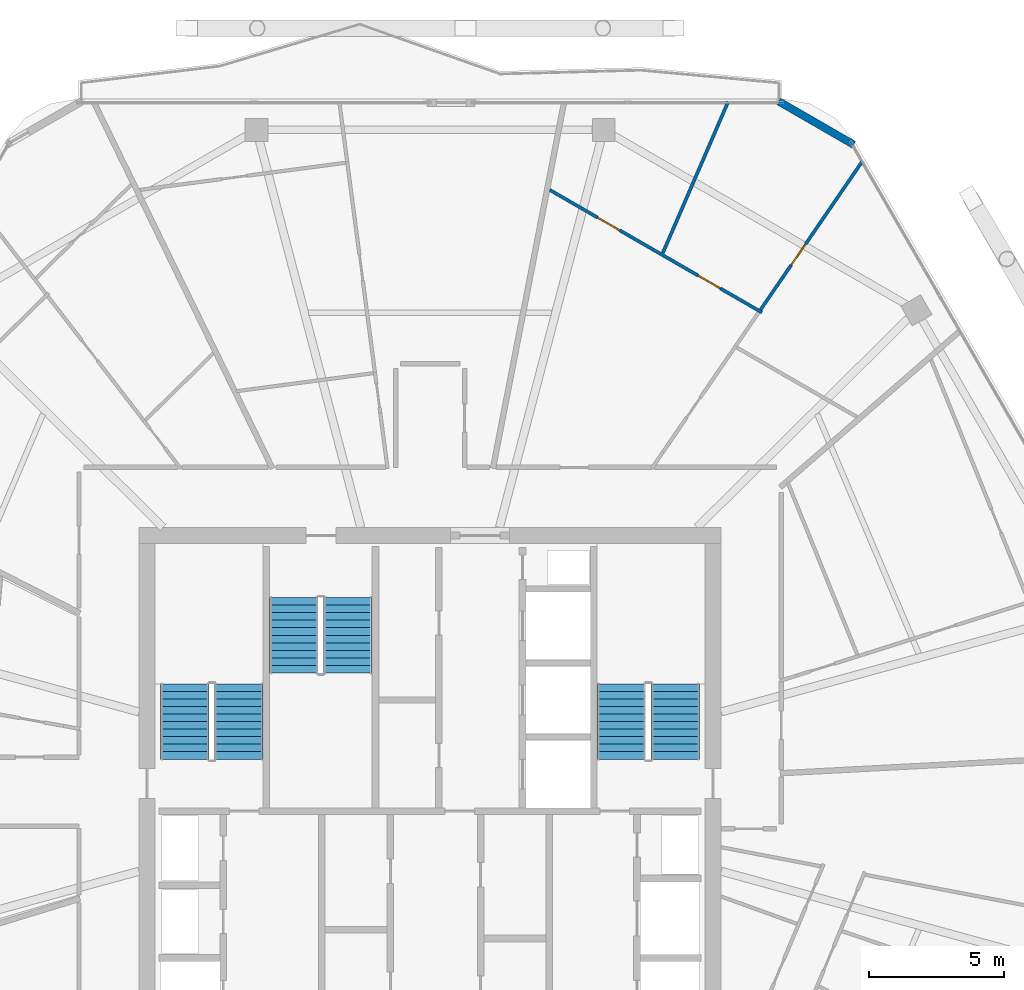
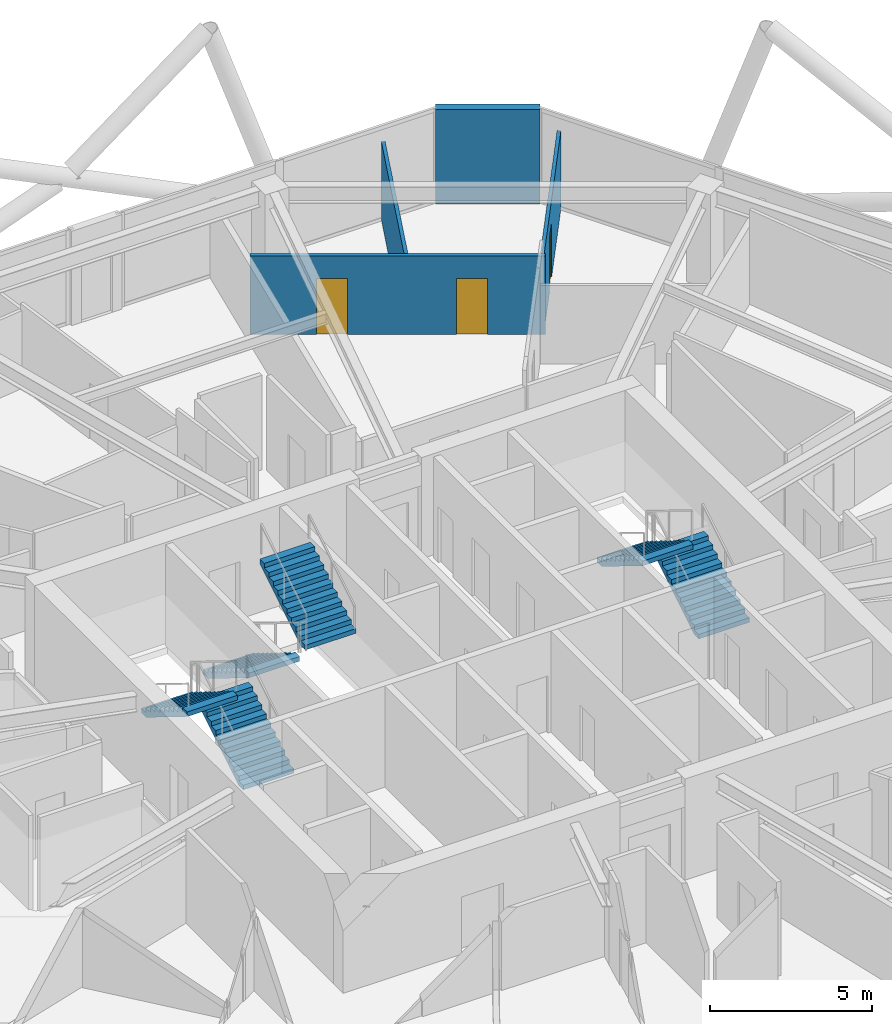
# One storey, part 25 of 27: 6 stair flights, 4 walls, 3 doors, 3 openings, 3 elements without a shape of their own.
"""IFC4 building model written with IfcOpenShell, lengths in metres."""

from ifc_helpers import new_model, si_unit, direction, frame, frame_2d, origin, place, context, subcontext, project, spatial, polyline, rectangle, outline, extrude, material, layer, layer_set, type_object, element, fill, aggregate, save


model = new_model("IFC4")

# Units and contexts
model_context = context("Model", 3, precision=1e-05, world=origin(), true_north=direction((0.0, 1.0)))
body_context = subcontext(model_context, "Body", "Model", "MODEL_VIEW")
ifc_project = project(units=[si_unit("LENGTHUNIT", "METRE"), si_unit("AREAUNIT", "SQUARE_METRE"), si_unit("VOLUMEUNIT", "CUBIC_METRE"), si_unit("PLANEANGLEUNIT", "RADIAN"), si_unit("MASSUNIT", "GRAM", prefix="KILO")], contexts=[model_context])

# Site, building, storey
site_placement = place(None, origin())
site = spatial("IfcSite", under=ifc_project, at=site_placement, CompositionType="ELEMENT")
building_placement = place(site_placement, origin())
building = spatial("IfcBuilding", under=site, at=building_placement, Name="Zuhravey Tower", CompositionType="ELEMENT")
storey_placement = place(building_placement, frame((0.0, 0.0, 276.800048828125)))
storey = spatial("IfcBuildingStorey", under=building, at=storey_placement, Name="L70", CompositionType="ELEMENT", Elevation=276.800048828125)

# Wall
ifc_material_1 = material(Name="Precast concrete C40/50", Category="concrete")
ifc_layer_1 = layer(ifc_material_1, 0.280029296875)
ifc_layer_set_1 = layer_set([ifc_layer_1], Name="Precast concrete C40/50")
wall_type_1 = type_object("IfcWallType", Name="Crown Architectural Wall 280", PredefinedType="SOLIDWALL", material=ifc_layer_set_1)
wall_1_placement = place(storey_placement, frame((48.930419921875, 57.611083984375, 0.0), z_axis=(0.0, 0.0, 1.0), x_axis=(0.866028773314, -0.499994163758, 0.0)))
element("IfcWall", 1, at=wall_1_placement, inside=storey, type_object=wall_type_1, Name="L70 Rounded Corner Closure Wall EW28-10", PredefinedType="SOLIDWALL", context=body_context, shape_type="SweptSolid", body=[
    extrude(rectangle(XDim=3.21484375, YDim=0.280029296875, at=frame_2d((1.607421875, 0.0))), origin(), (0.0, 0.0, 1.0), 3.550048828125),
])

# Wall, openings, doors
ifc_material_2 = material(Name="Gypsum metal-stud partition")
ifc_layer_2 = layer(ifc_material_2, 0.1201171875)
ifc_layer_set_2 = layer_set([ifc_layer_2], Name="Gypsum metal-stud partition")
wall_type_2 = type_object("IfcWallType", Name="Unit Internal Partition 120", PredefinedType="PARTITIONING", material=ifc_layer_set_2)
wall_2_placement = place(storey_placement, frame((48.312255859375, 49.77783203125, 0.0), z_axis=(0.0, 0.0, 1.0), x_axis=(-0.866028157381, 0.499995230601, 0.0)))
wall_2 = element("IfcWall", 2, at=wall_2_placement, inside=storey, type_object=wall_type_2, Name="L70 IW12 Partition 051", PredefinedType="PARTITIONING", context=body_context, shape_type="SweptSolid", body=[
    extrude(rectangle(XDim=9.09033203125, YDim=0.1201171875, at=frame_2d((4.545166015625, 0.0))), origin(), (0.0, 0.0, 1.0), 2.949951171875),
])
opening_1_placement = place(wall_2_placement, frame((1.7861328125, 0.0, 0.0)))
opening_1 = element("IfcOpeningElement", 3, at=opening_1_placement, cuts=wall_2, Name="Opening IND1", PredefinedType="OPENING", context=body_context, shape_type="SweptSolid", body=[
    extrude(rectangle(XDim=0.949951171875, YDim=2.10009765625, at=frame_2d((0.47509765625, 1.050048828125))), frame((0.0, 0.072021484375, 0.0), z_axis=(0.0, -1.0, 0.0), x_axis=(1.0, 0.0, 0.0)), (0.0, 0.0, 1.0), 0.14404296875),
])
opening_2_placement = place(wall_2_placement, frame((6.090576171875, 0.0, 0.0)))
opening_2 = element("IfcOpeningElement", 4, at=opening_2_placement, cuts=wall_2, Name="Opening IND1", PredefinedType="OPENING", context=body_context, shape_type="SweptSolid", body=[
    extrude(rectangle(XDim=0.949951171875, YDim=2.10009765625, at=frame_2d((0.47509765625, 1.050048828125))), frame((0.0, 0.072021484375, 0.0), z_axis=(0.0, -1.0, 0.0), x_axis=(1.0, 0.0, 0.0)), (0.0, 0.0, 1.0), 0.14404296875),
])
ifc_material_3 = material(Name="Painted engineered timber leaf", Category="wood")
door_type = type_object("IfcDoorType", Name="Internal Room & Bedroom Door 950x2100", OperationType="NOTDEFINED", PredefinedType="DOOR", material=ifc_material_3)
door_1_placement = place(opening_1_placement, frame((0.949951171875, 0.0, 0.0), z_axis=(0.0, 0.0, 1.0), x_axis=(-1.0, 0.0, 0.0)))
door_1 = element("IfcDoor", 5, at=door_1_placement, inside=storey, type_object=door_type, Name="Apartment L70-07 Family Study Door", OperationType="SINGLE_SWING_LEFT", OverallHeight=2.10009765625, OverallWidth=0.949951171875, PredefinedType="DOOR", context=body_context, shape_type="SweptSolid", body=[
    extrude(rectangle(XDim=0.949951171875, YDim=2.10009765625, at=frame_2d((0.47509765625, 1.050048828125))), frame((0.0, 0.02490234375, 0.0), z_axis=(0.0, -1.0, 0.0), x_axis=(1.0, 0.0, 0.0)), (0.0, 0.0, 1.0), 0.050048828125),
])
fill(opening_1, door_1)
door_2_placement = place(opening_2_placement, frame((0.949951171875, 0.0, 0.0), z_axis=(0.0, 0.0, 1.0), x_axis=(-1.0, 0.0, 0.0)))
door_2 = element("IfcDoor", 6, at=door_2_placement, inside=storey, type_object=door_type, Name="Apartment L70-07 Dining Room Door", OperationType="SINGLE_SWING_RIGHT", OverallHeight=2.10009765625, OverallWidth=0.949951171875, PredefinedType="DOOR", context=body_context, shape_type="SweptSolid", body=[
    extrude(rectangle(XDim=0.949951171875, YDim=2.10009765625, at=frame_2d((0.47509765625, 1.050048828125))), frame((0.0, 0.02490234375, 0.0), z_axis=(0.0, -1.0, 0.0), x_axis=(1.0, 0.0, 0.0)), (0.0, 0.0, 1.0), 0.050048828125),
])
fill(opening_2, door_2)

# Wall, opening, door
wall_3_placement = place(storey_placement, frame((48.263916015625, 49.88427734375, 0.0), z_axis=(0.0, 0.0, 1.0), x_axis=(0.565549031971, 0.824714673349, 0.0)))
wall_3 = element("IfcWall", 7, at=wall_3_placement, inside=storey, type_object=wall_type_2, Name="L70 IW12 Partition 054", PredefinedType="PARTITIONING", context=body_context, shape_type="SweptSolid", body=[
    extrude(rectangle(XDim=6.654541015625, YDim=0.1201171875, at=frame_2d((3.3271484375, 0.0))), origin(), (0.0, 0.0, 1.0), 2.929931640625),
])
opening_3_placement = place(wall_3_placement, frame((2.005615234375, 0.0, 0.0)))
opening_3 = element("IfcOpeningElement", 8, at=opening_3_placement, cuts=wall_3, Name="Opening IND1", PredefinedType="OPENING", context=body_context, shape_type="SweptSolid", body=[
    extrude(rectangle(XDim=0.949951171875, YDim=2.10009765625, at=frame_2d((0.47509765625, 1.050048828125))), frame((0.0, 0.072021484375, 0.0), z_axis=(0.0, -1.0, 0.0), x_axis=(1.0, 0.0, 0.0)), (0.0, 0.0, 1.0), 0.14404296875),
])
door_3_placement = place(opening_3_placement, frame((0.949951171875, 0.0, 0.0), z_axis=(0.0, 0.0, 1.0), x_axis=(-1.0, 0.0, 0.0)))
door_3 = element("IfcDoor", 9, at=door_3_placement, inside=storey, type_object=door_type, Name="Apartment L70-07 Bedroom 1 Door", OperationType="SINGLE_SWING_RIGHT", OverallHeight=2.10009765625, OverallWidth=0.949951171875, PredefinedType="DOOR", context=body_context, shape_type="SweptSolid", body=[
    extrude(rectangle(XDim=0.949951171875, YDim=2.10009765625, at=frame_2d((0.47509765625, 1.050048828125))), frame((0.0, 0.02490234375, 0.0), z_axis=(0.0, -1.0, 0.0), x_axis=(1.0, 0.0, 0.0)), (0.0, 0.0, 1.0), 0.050048828125),
])
fill(opening_3, door_3)

# Wall
wall_4_placement = place(storey_placement, frame((44.63232421875, 51.98095703125, 0.0), z_axis=(0.0, 0.0, 1.0), x_axis=(0.396601995109, 0.917990663065, 0.0)))
element("IfcWall", 10, at=wall_4_placement, inside=storey, type_object=wall_type_2, Name="L70 IW12 Partition 103", PredefinedType="PARTITIONING", context=body_context, shape_type="SweptSolid", body=[
    extrude(rectangle(XDim=6.114013671875, YDim=0.1201171875, at=frame_2d((3.05712890625, 0.0))), origin(), (0.0, 0.0, 1.0), 2.929931640625),
])

# Stair, stair flights
ifc_material_4 = material(Name="Concrete C40/50", Category="concrete")
stair_type = type_object("IfcStairType", Name="Housing Storey Stair Assembly 3800", PredefinedType="HALF_TURN_STAIR", material=ifc_material_4)
stair_1_placement = place(storey_placement, origin())
stair_1 = element("IfcStair", 11, at=stair_1_placement, inside=storey, type_object=stair_type, Name="L70 Core Exit Stair ST1", PredefinedType="HALF_TURN_STAIR")
stair_flight_type = type_object("IfcStairFlightType", Name="Housing Storey Stair Flight 3800", PredefinedType="STRAIGHT", material=ifc_material_4)
stair_flight_1_placement = place(storey_placement, frame((28.89990234375, 33.199951171875, 0.0), z_axis=(0.0, 0.0, 1.0), x_axis=(0.0, 1.0, 0.0)))
stair_flight_1 = element("IfcStairFlight", 12, at=stair_flight_1_placement, type_object=stair_flight_type, Name="ST1 flight 1", NumberOfRisers=11, NumberOfTreads=10, PredefinedType="STRAIGHT", RiserHeight=0.172727273, TreadLength=0.28, context=body_context, shape_type="SweptSolid", body=[
    extrude(outline(polyline([(0.0, 0.0), (0.0, 0.172607421875), (0.280029296875, 0.172607421875), (0.280029296875, 0.345458984375), (0.56005859375, 0.345458984375), (0.56005859375, 0.51806640625), (0.840087890625, 0.51806640625), (0.840087890625, 0.69091796875), (1.1201171875, 0.69091796875), (1.1201171875, 0.863525390625), (1.39990234375, 0.863525390625), (1.39990234375, 1.036376953125), (1.679931640625, 1.036376953125), (1.679931640625, 1.208984375), (1.9599609375, 1.208984375), (1.9599609375, 1.3818359375), (2.239990234375, 1.3818359375), (2.239990234375, 1.554443359375), (2.52001953125, 1.554443359375), (2.52001953125, 1.727294921875), (2.800048828125, 1.727294921875), (2.800048828125, 1.89990234375), (2.800048828125, 1.551025390625), (0.285400390625, 0.0), (0.0, 0.0)])), frame((0.0, 0.89990234375, 0.0), z_axis=(0.0, -1.0, 0.0), x_axis=(1.0, 0.0, 0.0)), (0.0, 0.0, 1.0), 1.800048828125),
])
stair_flight_2_placement = place(storey_placement, frame((26.89990234375, 36.0, 1.89990234375), z_axis=(0.0, 0.0, 1.0), x_axis=(0.0, -1.0, 0.0)))
stair_flight_2 = element("IfcStairFlight", 13, at=stair_flight_2_placement, type_object=stair_flight_type, Name="ST1 flight 2", NumberOfRisers=11, NumberOfTreads=10, PredefinedType="STRAIGHT", RiserHeight=0.172727273, TreadLength=0.28, context=body_context, shape_type="SweptSolid", body=[
    extrude(outline(polyline([(0.0, 0.0), (0.0, 0.172607421875), (0.280029296875, 0.172607421875), (0.280029296875, 0.345458984375), (0.56005859375, 0.345458984375), (0.56005859375, 0.51806640625), (0.840087890625, 0.51806640625), (0.840087890625, 0.69091796875), (1.1201171875, 0.69091796875), (1.1201171875, 0.863525390625), (1.39990234375, 0.863525390625), (1.39990234375, 1.036376953125), (1.679931640625, 1.036376953125), (1.679931640625, 1.208984375), (1.9599609375, 1.208984375), (1.9599609375, 1.3818359375), (2.239990234375, 1.3818359375), (2.239990234375, 1.554443359375), (2.52001953125, 1.554443359375), (2.52001953125, 1.727294921875), (2.800048828125, 1.727294921875), (2.800048828125, 1.89990234375), (2.800048828125, 1.551025390625), (0.285400390625, 0.0), (0.0, 0.0)])), frame((0.0, 0.89990234375, 0.0), z_axis=(0.0, -1.0, 0.0), x_axis=(1.0, 0.0, 0.0)), (0.0, 0.0, 1.0), 1.800048828125),
])
aggregate(stair_1, [stair_flight_1, stair_flight_2])

stair_2_placement = place(storey_placement, origin())
stair_2 = element("IfcStair", 14, at=stair_2_placement, inside=storey, type_object=stair_type, Name="L70 Core Exit Stair ST2", PredefinedType="HALF_TURN_STAIR")
stair_flight_3_placement = place(storey_placement, frame((45.10009765625, 33.199951171875, 0.0), z_axis=(0.0, 0.0, 1.0), x_axis=(0.0, 1.0, 0.0)))
stair_flight_3 = element("IfcStairFlight", 15, at=stair_flight_3_placement, type_object=stair_flight_type, Name="ST2 flight 1", NumberOfRisers=11, NumberOfTreads=10, PredefinedType="STRAIGHT", RiserHeight=0.172727273, TreadLength=0.28, context=body_context, shape_type="SweptSolid", body=[
    extrude(outline(polyline([(0.0, 0.0), (0.0, 0.172607421875), (0.280029296875, 0.172607421875), (0.280029296875, 0.345458984375), (0.56005859375, 0.345458984375), (0.56005859375, 0.51806640625), (0.840087890625, 0.51806640625), (0.840087890625, 0.69091796875), (1.1201171875, 0.69091796875), (1.1201171875, 0.863525390625), (1.39990234375, 0.863525390625), (1.39990234375, 1.036376953125), (1.679931640625, 1.036376953125), (1.679931640625, 1.208984375), (1.9599609375, 1.208984375), (1.9599609375, 1.3818359375), (2.239990234375, 1.3818359375), (2.239990234375, 1.554443359375), (2.52001953125, 1.554443359375), (2.52001953125, 1.727294921875), (2.800048828125, 1.727294921875), (2.800048828125, 1.89990234375), (2.800048828125, 1.551025390625), (0.285400390625, 0.0), (0.0, 0.0)])), frame((0.0, 0.89990234375, 0.0), z_axis=(0.0, -1.0, 0.0), x_axis=(1.0, 0.0, 0.0)), (0.0, 0.0, 1.0), 1.800048828125),
])
stair_flight_4_placement = place(storey_placement, frame((43.10009765625, 36.0, 1.89990234375), z_axis=(0.0, 0.0, 1.0), x_axis=(0.0, -1.0, 0.0)))
stair_flight_4 = element("IfcStairFlight", 16, at=stair_flight_4_placement, type_object=stair_flight_type, Name="ST2 flight 2", NumberOfRisers=11, NumberOfTreads=10, PredefinedType="STRAIGHT", RiserHeight=0.172727273, TreadLength=0.28, context=body_context, shape_type="SweptSolid", body=[
    extrude(outline(polyline([(0.0, 0.0), (0.0, 0.172607421875), (0.280029296875, 0.172607421875), (0.280029296875, 0.345458984375), (0.56005859375, 0.345458984375), (0.56005859375, 0.51806640625), (0.840087890625, 0.51806640625), (0.840087890625, 0.69091796875), (1.1201171875, 0.69091796875), (1.1201171875, 0.863525390625), (1.39990234375, 0.863525390625), (1.39990234375, 1.036376953125), (1.679931640625, 1.036376953125), (1.679931640625, 1.208984375), (1.9599609375, 1.208984375), (1.9599609375, 1.3818359375), (2.239990234375, 1.3818359375), (2.239990234375, 1.554443359375), (2.52001953125, 1.554443359375), (2.52001953125, 1.727294921875), (2.800048828125, 1.727294921875), (2.800048828125, 1.89990234375), (2.800048828125, 1.551025390625), (0.285400390625, 0.0), (0.0, 0.0)])), frame((0.0, 0.89990234375, 0.0), z_axis=(0.0, -1.0, 0.0), x_axis=(1.0, 0.0, 0.0)), (0.0, 0.0, 1.0), 1.800048828125),
])
aggregate(stair_2, [stair_flight_3, stair_flight_4])

stair_3_placement = place(storey_placement, origin())
stair_3 = element("IfcStair", 17, at=stair_3_placement, inside=storey, type_object=stair_type, Name="L70 Core Exit Stair ST3", PredefinedType="HALF_TURN_STAIR")
stair_flight_5_placement = place(storey_placement, frame((30.949951171875, 39.199951171875, 0.0), z_axis=(0.0, 0.0, 1.0), x_axis=(0.0, -1.0, 0.0)))
stair_flight_5 = element("IfcStairFlight", 18, at=stair_flight_5_placement, type_object=stair_flight_type, Name="ST3 flight 1", NumberOfRisers=11, NumberOfTreads=10, PredefinedType="STRAIGHT", RiserHeight=0.172727273, TreadLength=0.28, context=body_context, shape_type="SweptSolid", body=[
    extrude(outline(polyline([(0.0, 0.0), (0.0, 0.172607421875), (0.280029296875, 0.172607421875), (0.280029296875, 0.345458984375), (0.56005859375, 0.345458984375), (0.56005859375, 0.51806640625), (0.840087890625, 0.51806640625), (0.840087890625, 0.69091796875), (1.1201171875, 0.69091796875), (1.1201171875, 0.863525390625), (1.39990234375, 0.863525390625), (1.39990234375, 1.036376953125), (1.679931640625, 1.036376953125), (1.679931640625, 1.208984375), (1.9599609375, 1.208984375), (1.9599609375, 1.3818359375), (2.239990234375, 1.3818359375), (2.239990234375, 1.554443359375), (2.52001953125, 1.554443359375), (2.52001953125, 1.727294921875), (2.800048828125, 1.727294921875), (2.800048828125, 1.89990234375), (2.800048828125, 1.551025390625), (0.285400390625, 0.0), (0.0, 0.0)])), frame((0.0, 0.89990234375, 0.0), z_axis=(0.0, -1.0, 0.0), x_axis=(1.0, 0.0, 0.0)), (0.0, 0.0, 1.0), 1.800048828125),
])
stair_flight_6_placement = place(storey_placement, frame((32.949951171875, 36.39990234375, 1.89990234375), z_axis=(0.0, 0.0, 1.0), x_axis=(0.0, 1.0, 0.0)))
stair_flight_6 = element("IfcStairFlight", 19, at=stair_flight_6_placement, type_object=stair_flight_type, Name="ST3 flight 2", NumberOfRisers=11, NumberOfTreads=10, PredefinedType="STRAIGHT", RiserHeight=0.172727273, TreadLength=0.28, context=body_context, shape_type="SweptSolid", body=[
    extrude(outline(polyline([(0.0, 0.0), (0.0, 0.172607421875), (0.280029296875, 0.172607421875), (0.280029296875, 0.345458984375), (0.56005859375, 0.345458984375), (0.56005859375, 0.51806640625), (0.840087890625, 0.51806640625), (0.840087890625, 0.69091796875), (1.1201171875, 0.69091796875), (1.1201171875, 0.863525390625), (1.39990234375, 0.863525390625), (1.39990234375, 1.036376953125), (1.679931640625, 1.036376953125), (1.679931640625, 1.208984375), (1.9599609375, 1.208984375), (1.9599609375, 1.3818359375), (2.239990234375, 1.3818359375), (2.239990234375, 1.554443359375), (2.52001953125, 1.554443359375), (2.52001953125, 1.727294921875), (2.800048828125, 1.727294921875), (2.800048828125, 1.89990234375), (2.800048828125, 1.551025390625), (0.285400390625, 0.0), (0.0, 0.0)])), frame((0.0, 0.89990234375, 0.0), z_axis=(0.0, -1.0, 0.0), x_axis=(1.0, 0.0, 0.0)), (0.0, 0.0, 1.0), 1.800048828125),
])
aggregate(stair_3, [stair_flight_5, stair_flight_6])

save(model, "model.ifc")
